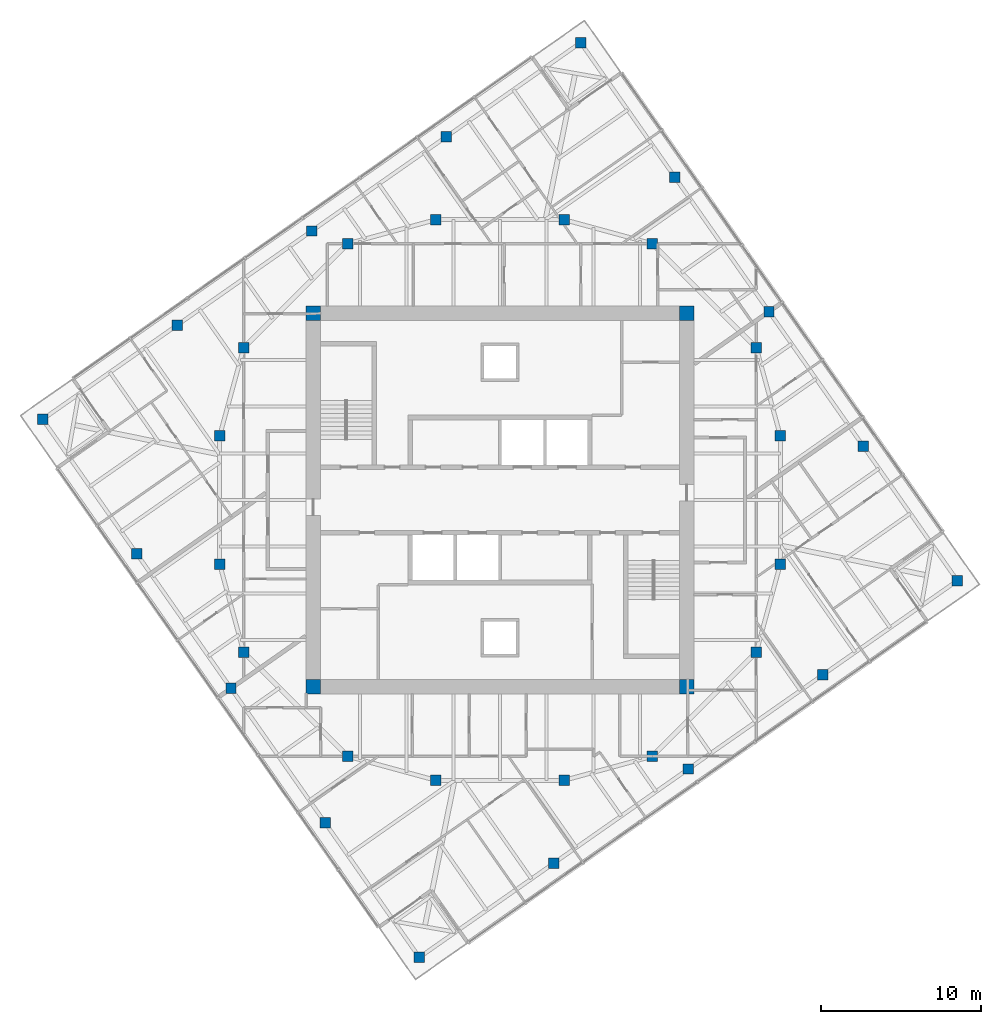
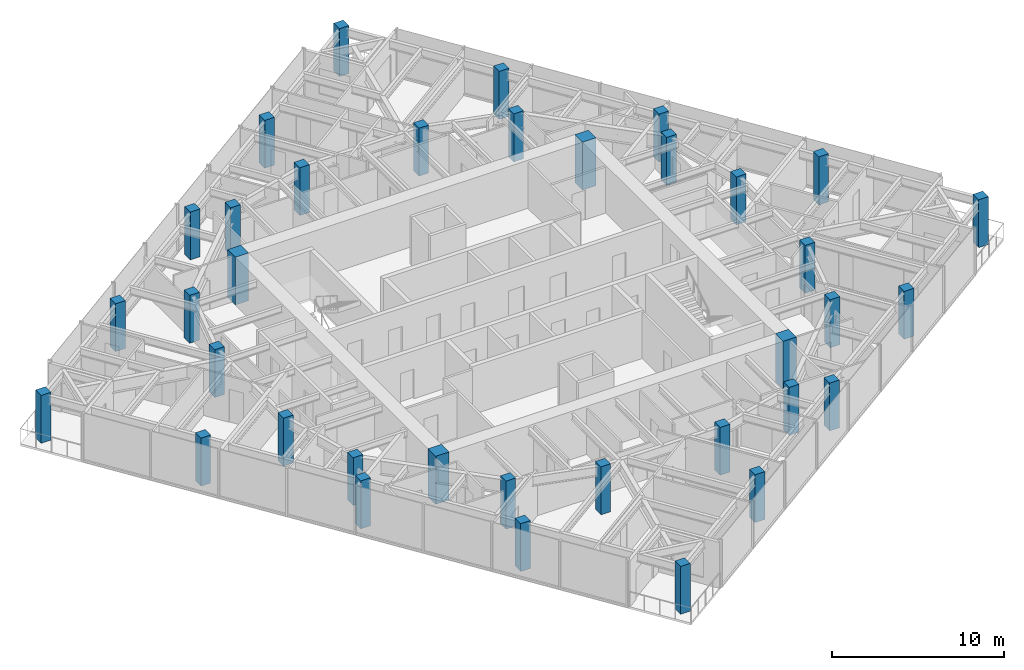
# One storey, part 1 of 12: 36 columns.
"""IFC4 building model written with IfcOpenShell, lengths in metres."""

from ifc_helpers import new_model, si_unit, direction, frame, origin, origin_2d, place, context, subcontext, project, spatial, rectangle, extrude, material, material_profile, profile_set, type_object, element, save


model = new_model("IFC4")

# Units and contexts
model_context = context("Model", 3, precision=1e-05, world=origin(), true_north=direction((0.0, 1.0)))
body_context = subcontext(model_context, "Body", "Model", "MODEL_VIEW")
ifc_project = project(units=[si_unit("LENGTHUNIT", "METRE"), si_unit("AREAUNIT", "SQUARE_METRE"), si_unit("VOLUMEUNIT", "CUBIC_METRE"), si_unit("PLANEANGLEUNIT", "RADIAN"), si_unit("MASSUNIT", "GRAM", prefix="KILO")], contexts=[model_context])

# Site, building, storey
site_placement = place(None, origin())
site = spatial("IfcSite", under=ifc_project, at=site_placement, CompositionType="ELEMENT")
building_placement = place(site_placement, origin())
building = spatial("IfcBuilding", under=site, at=building_placement, Name="Torsade Residences", CompositionType="ELEMENT")
storey_placement = place(building_placement, frame((0.0, 0.0, 250.60009765625)))
storey = spatial("IfcBuildingStorey", under=building, at=storey_placement, Name="L69", CompositionType="ELEMENT", Elevation=250.60009765625)

# Columns
ifc_material_1 = material(Name="Concrete 80 MPa", Category="concrete")
ifc_material_profile_1 = material_profile(ifc_material_1, rectangle(XDim=0.89990234375, YDim=0.89990234375, at=origin_2d()), Name="RC 900x900")
ifc_profile_set_1 = profile_set([ifc_material_profile_1], Name="Concrete 80 MPa")
column_type_1 = type_object("IfcColumnType", Name="CORE CORNER COLUMN RC 900x900", PredefinedType="COLUMN", material=ifc_profile_set_1)
for number, where, z_axis, x_axis, name in (
    (1, (28.35009765625, 18.35009765625, 0.0), (0.0, 0.0, 1.0), (1.0, 0.0, 0.0), "Core corner column CC1 L69"),
    (2, (51.64990234375, 18.35009765625, 0.0), (0.0, 0.0, 1.0), (1.0, 0.0, 0.0), "Core corner column CC2 L69"),
    (3, (51.64990234375, 41.64990234375, 0.0), (0.0, 0.0, 1.0), (1.0, 0.0, 0.0), "Core corner column CC3 L69"),
    (4, (28.35009765625, 41.64990234375, 0.0), (0.0, 0.0, 1.0), (1.0, 0.0, 0.0), "Core corner column CC4 L69"),
):
    element("IfcColumn", number, at=place(storey_placement, frame(where, z_axis=z_axis, x_axis=x_axis)), inside=storey, type_object=column_type_1, Name=name, PredefinedType="COLUMN", context=body_context, shape_type="SweptSolid", body=[
        extrude(rectangle(XDim=0.89990234375, YDim=0.89990234375, at=origin_2d()), origin(), (0.0, 0.0, 1.0), 3.39990234375),
    ])
ifc_material_2 = material(Name="Concrete 80 MPa", Category="concrete")
ifc_material_profile_2 = material_profile(ifc_material_2, rectangle(XDim=0.64990234375, YDim=0.64990234375, at=origin_2d()), Name="RC 650x650")
ifc_profile_set_2 = profile_set([ifc_material_profile_2], Name="Concrete 80 MPa")
column_type_2 = type_object("IfcColumnType", Name="INNER RING COLUMN RC 650x650", PredefinedType="COLUMN", material=ifc_profile_set_2)
for number, where, z_axis, x_axis, name in (
    (5, (57.5, 26.0, 0.0), (0.0, 0.0, 1.0), (1.0, 0.0, 0.0), "Inner ring column IR01 L69"),
    (6, (57.5, 34.0, 0.0), (0.0, 0.0, 1.0), (1.0, 0.0, 0.0), "Inner ring column IR02 L69"),
    (7, (56.0, 39.5, 0.0), (0.0, 0.0, 1.0), (1.0, 0.0, 0.0), "Inner ring column IR03 L69"),
    (8, (49.5, 46.0, 0.0), (0.0, 0.0, 1.0), (1.0, 0.0, 0.0), "Inner ring column IR04 L69"),
    (9, (44.0, 47.5, 0.0), (0.0, 0.0, 1.0), (1.0, 0.0, 0.0), "Inner ring column IR05 L69"),
    (10, (36.0, 47.5, 0.0), (0.0, 0.0, 1.0), (1.0, 0.0, 0.0), "Inner ring column IR06 L69"),
    (11, (30.5, 46.0, 0.0), (0.0, 0.0, 1.0), (1.0, 0.0, 0.0), "Inner ring column IR07 L69"),
    (12, (24.0, 39.5, 0.0), (0.0, 0.0, 1.0), (1.0, 0.0, 0.0), "Inner ring column IR08 L69"),
    (13, (22.5, 34.0, 0.0), (0.0, 0.0, 1.0), (1.0, 0.0, 0.0), "Inner ring column IR09 L69"),
    (14, (22.5, 26.0, 0.0), (0.0, 0.0, 1.0), (1.0, 0.0, 0.0), "Inner ring column IR10 L69"),
    (15, (24.0, 20.5, 0.0), (0.0, 0.0, 1.0), (1.0, 0.0, 0.0), "Inner ring column IR11 L69"),
    (16, (30.5, 14.0, 0.0), (0.0, 0.0, 1.0), (1.0, 0.0, 0.0), "Inner ring column IR12 L69"),
    (17, (36.0, 12.5, 0.0), (0.0, 0.0, 1.0), (1.0, 0.0, 0.0), "Inner ring column IR13 L69"),
    (18, (44.0, 12.5, 0.0), (0.0, 0.0, 1.0), (1.0, 0.0, 0.0), "Inner ring column IR14 L69"),
    (19, (49.5, 14.0, 0.0), (0.0, 0.0, 1.0), (1.0, 0.0, 0.0), "Inner ring column IR15 L69"),
    (20, (56.0, 20.5, 0.0), (0.0, 0.0, 1.0), (1.0, 0.0, 0.0), "Inner ring column IR16 L69"),
):
    element("IfcColumn", number, at=place(storey_placement, frame(where, z_axis=z_axis, x_axis=x_axis)), inside=storey, type_object=column_type_2, Name=name, PredefinedType="COLUMN", context=body_context, shape_type="SweptSolid", body=[
        extrude(rectangle(XDim=0.64990234375, YDim=0.64990234375, at=origin_2d()), origin(), (0.0, 0.0, 1.0), 3.39990234375),
    ])
ifc_material_3 = material(Name="Concrete 80 MPa", Category="concrete")
ifc_material_profile_3 = material_profile(ifc_material_3, rectangle(XDim=0.64990234375, YDim=0.64990234375, at=origin_2d()), Name="RC 650x650")
ifc_profile_set_3 = profile_set([ifc_material_profile_3], Name="Concrete 80 MPa")
column_type_3 = type_object("IfcColumnType", Name="TOWER COLUMN RC 650x650", PredefinedType="COLUMN", material=ifc_profile_set_3)
for number, where, z_axis, x_axis, name in (
    (21, (34.9658203125, 1.448974609375, 0.0), (0.0, 0.0, 1.0), (1.0, 0.0, 0.0), "Column TC8-01 L69"),
    (22, (43.362060546875, 7.328125, 0.0), (0.0, 0.0, 1.0), (1.0, 0.0, 0.0), "Column TC8-02 L69"),
    (23, (51.75830078125, 13.207275390625, 0.0), (0.0, 0.0, 1.0), (1.0, 0.0, 0.0), "Column TC8-03 L69"),
    (24, (60.154541015625, 19.08642578125, 0.0), (0.0, 0.0, 1.0), (1.0, 0.0, 0.0), "Column TC8-04 L69"),
    (25, (68.551025390625, 24.9658203125, 0.0), (0.0, 0.0, 1.0), (1.0, 0.0, 0.0), "Column TC8-05 L69"),
    (26, (62.671875, 33.362060546875, 0.0), (0.0, 0.0, 1.0), (1.0, 0.0, 0.0), "Column TC8-06 L69"),
    (27, (56.792724609375, 41.75830078125, 0.0), (0.0, 0.0, 1.0), (1.0, 0.0, 0.0), "Column TC8-07 L69"),
    (28, (50.91357421875, 50.154541015625, 0.0), (0.0, 0.0, 1.0), (1.0, 0.0, 0.0), "Column TC8-08 L69"),
    (29, (45.0341796875, 58.551025390625, 0.0), (0.0, 0.0, 1.0), (1.0, 0.0, 0.0), "Column TC8-09 L69"),
    (30, (36.637939453125, 52.671875, 0.0), (0.0, 0.0, 1.0), (1.0, 0.0, 0.0), "Column TC8-10 L69"),
    (31, (28.24169921875, 46.792724609375, 0.0), (0.0, 0.0, 1.0), (1.0, 0.0, 0.0), "Column TC8-11 L69"),
    (32, (19.845458984375, 40.91357421875, 0.0), (0.0, 0.0, 1.0), (1.0, 0.0, 0.0), "Column TC8-12 L69"),
    (33, (11.448974609375, 35.0341796875, 0.0), (0.0, 0.0, 1.0), (1.0, 0.0, 0.0), "Column TC8-13 L69"),
    (34, (17.328125, 26.637939453125, 0.0), (0.0, 0.0, 1.0), (1.0, 0.0, 0.0), "Column TC8-14 L69"),
    (35, (23.207275390625, 18.24169921875, 0.0), (0.0, 0.0, 1.0), (1.0, 0.0, 0.0), "Column TC8-15 L69"),
    (36, (29.08642578125, 9.845458984375, 0.0), (0.0, 0.0, 1.0), (1.0, 0.0, 0.0), "Column TC8-16 L69"),
):
    element("IfcColumn", number, at=place(storey_placement, frame(where, z_axis=z_axis, x_axis=x_axis)), inside=storey, type_object=column_type_3, Name=name, PredefinedType="COLUMN", context=body_context, shape_type="SweptSolid", body=[
        extrude(rectangle(XDim=0.64990234375, YDim=0.64990234375, at=origin_2d()), origin(), (0.0, 0.0, 1.0), 3.39990234375),
    ])

save(model, "model.ifc")
